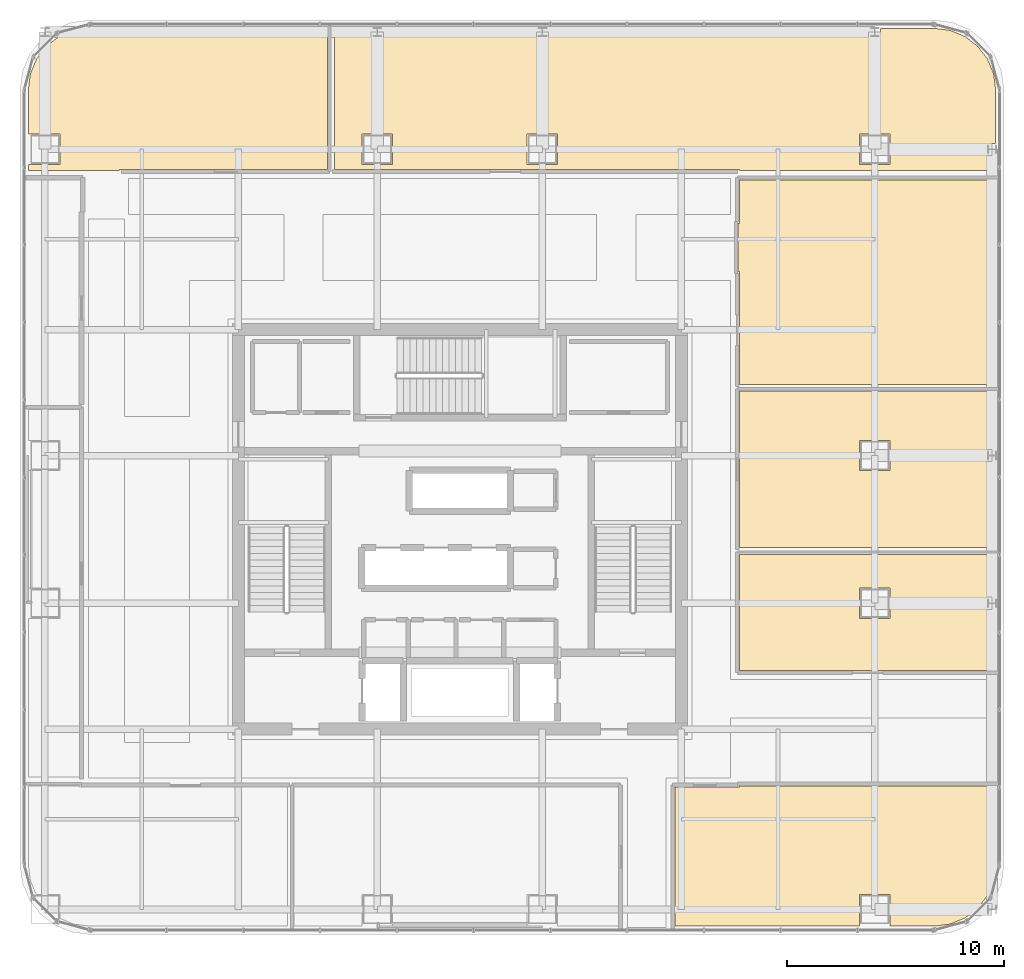
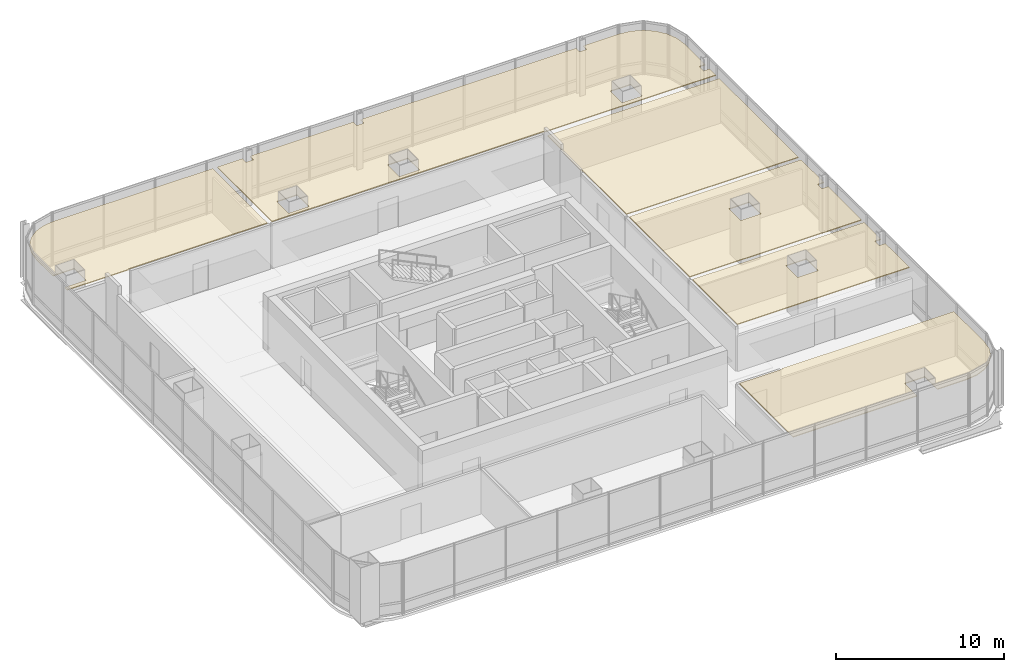
# One storey, part 42 of 42: 6 coverings.
"""IFC4 building model written with IfcOpenShell, lengths in metres."""

import ifcopenshell
import ifcopenshell.guid

model = None  # the IFC model being written
_history = None  # IfcOwnerHistory: only IFC2X3 demands one
_inside = {}  # id of a spatial element -> (the spatial element, [elements in it])
_under = {}  # id of a project, library or spatial element -> (it, [spatial elements below it])
_declared = {}  # id of a project -> (the project, [libraries it declares])
_typed = {}  # id of a type object -> (the type object, [elements of that type])
_made_of = {}  # id of a material, layer set ... -> (it, [elements and type objects made of it])


def new_model(schema):
    """Start an empty IFC model of exactly this schema.

    Asked for "IFC4X3", IfcOpenShell would pick the latest addendum, in which some entities
    have other attributes; the version numbers below select the first issue.
    IFC2X3 requires an IfcOwnerHistory on every rooted entity: one is made here for all.
    """
    global model, _history
    if schema == "IFC4X3":
        model = ifcopenshell.file(schema_version=(4, 3, 0, 0))
    else:
        model = ifcopenshell.file(schema=schema)
    _inside.clear()
    _under.clear()
    _declared.clear()
    _typed.clear()
    _made_of.clear()
    _history = None
    if model.schema == "IFC2X3":
        org = make("IfcOrganization", Name="unknown")
        user = make(
            "IfcPersonAndOrganization",
            ThePerson=make("IfcPerson", FamilyName="unknown"),
            TheOrganization=org,
        )
        app = make(
            "IfcApplication",
            ApplicationDeveloper=org,
            Version="unknown",
            ApplicationFullName="unknown",
            ApplicationIdentifier="unknown",
        )
        _history = make(
            "IfcOwnerHistory",
            OwningUser=user,
            OwningApplication=app,
            ChangeAction="ADDED",
            CreationDate=0,
        )
    return model


def make(cls, **values):
    """One entity of the class cls with the attributes given. An attribute that is None is left unset."""
    return model.create_entity(
        cls, **{name: value for name, value in values.items() if value is not None}
    )


def rooted(cls, **values):
    """An entity with a GlobalId (a new one), such as an element, a storey or a relation."""
    return make(cls, GlobalId=ifcopenshell.guid.new(), OwnerHistory=_history, **values)


def si_unit(unit_type, name, prefix=None):
    """IfcSIUnit, for example si_unit("LENGTHUNIT", "METRE", prefix="MILLI")."""
    return make("IfcSIUnit", UnitType=unit_type, Prefix=prefix, Name=name)


def assignment(units):
    """IfcUnitAssignment: the units of a project."""
    return None if units is None else make("IfcUnitAssignment", Units=units)


def point(xyz):
    """IfcCartesianPoint."""
    return None if xyz is None else make("IfcCartesianPoint", Coordinates=xyz)


def direction(xyz):
    """IfcDirection."""
    return None if xyz is None else make("IfcDirection", DirectionRatios=xyz)


def frame(location, z_axis=None, x_axis=None):
    """IfcAxis2Placement3D, a coordinate frame: its origin and axes. An axis left out is left unset."""
    return make(
        "IfcAxis2Placement3D",
        Location=point(location),
        Axis=direction(z_axis),
        RefDirection=direction(x_axis),
    )


def origin():
    """The frame at (0, 0, 0) with its axes left unset."""
    return frame((0.0, 0.0, 0.0))


def place(relative_to, where):
    """IfcLocalPlacement: puts the frame where relative to a parent placement (None: the world)."""
    return make(
        "IfcLocalPlacement", PlacementRelTo=relative_to, RelativePlacement=where
    )


def context(
    kind, dimensions, precision=None, world=None, true_north=None, identifier=None
):
    """IfcGeometricRepresentationContext, for example the 3D "Model" context."""
    return make(
        "IfcGeometricRepresentationContext",
        ContextIdentifier=identifier,
        ContextType=kind,
        CoordinateSpaceDimension=dimensions,
        Precision=precision,
        WorldCoordinateSystem=world,
        TrueNorth=true_north,
    )


def subcontext(parent, identifier, kind, view, scale=None):
    """IfcGeometricRepresentationSubContext, for example "Body" below "Model"."""
    return make(
        "IfcGeometricRepresentationSubContext",
        ContextIdentifier=identifier,
        ContextType=kind,
        ParentContext=parent,
        TargetScale=scale,
        TargetView=view,
    )


def project(units=None, contexts=None):
    """IfcProject with its units and contexts."""
    return rooted(
        "IfcProject",
        Name="project",
        RepresentationContexts=contexts,
        UnitsInContext=assignment(units),
    )


def spatial(cls, under=None, at=None, **own):
    """A site, building, storey or space (cls), placed at a placement, below another one or the project."""
    s = rooted(cls, ObjectPlacement=at, **own)
    if under is not None:
        _under.setdefault(under.id(), (under, []))[1].append(s)
    return s


def polyline(points):
    """IfcPolyline through the points."""
    return make("IfcPolyline", Points=[point(p) for p in points])


def outline(outer, holes=None, kind="AREA"):
    """IfcArbitraryClosedProfileDef: a profile drawn as a closed curve; with holes, ...WithVoids."""
    if holes is None:
        return make("IfcArbitraryClosedProfileDef", ProfileType=kind, OuterCurve=outer)
    return make(
        "IfcArbitraryProfileDefWithVoids",
        ProfileType=kind,
        OuterCurve=outer,
        InnerCurves=holes,
    )


def extrude(swept, where, along, depth):
    """IfcExtrudedAreaSolid: the profile swept, set in the frame where, extruded along a direction by depth."""
    return make(
        "IfcExtrudedAreaSolid",
        SweptArea=swept,
        Position=where,
        ExtrudedDirection=direction(along),
        Depth=depth,
    )


def shape(context_of_items, identifier, shape_type, items):
    """IfcShapeRepresentation: the items that make up one representation, for example the "Body"."""
    return make(
        "IfcShapeRepresentation",
        ContextOfItems=context_of_items,
        RepresentationIdentifier=identifier,
        RepresentationType=shape_type,
        Items=items,
    )


def material(Name=None, Category=None):
    """IfcMaterial."""
    return make("IfcMaterial", Name=Name, Category=Category)


def layer(
    of_material, thickness, ventilated=None, Name=None, Category=None, Priority=None
):
    """IfcMaterialLayer: one layer of a wall or slab, of a material (None: an air gap)."""
    return make(
        "IfcMaterialLayer",
        Material=of_material,
        LayerThickness=thickness,
        IsVentilated=ventilated,
        Name=Name,
        Category=Category,
        Priority=Priority,
    )


def layer_set(layers, Name=None):
    """IfcMaterialLayerSet."""
    return make("IfcMaterialLayerSet", MaterialLayers=layers, LayerSetName=Name)


def made_of(thing, what):
    """Note that an element or type object is made of a material, layer set ...; save() writes the relation."""
    if what is not None:
        _made_of.setdefault(what.id(), (what, []))[1].append(thing)
    return thing


def type_object(cls, material=None, **own):
    """A type object (cls), such as IfcWallType, which elements share."""
    return made_of(rooted(cls, **own), material)


def element(
    cls,
    number,
    at=None,
    inside=None,
    cuts=None,
    type_object=None,
    material=None,
    context=None,
    identifier="Body",
    shape_type=None,
    held_by="IfcProductDefinitionShape",
    body=None,
    shapes=None,
    **own,
):
    """One element of the class cls, such as IfcWall. Its Tag is "e" and its number.

    at: its placement. inside: the storey or other place that contains it. cuts: it is an
    opening in that element (IfcRelVoidsElement). A single representation is given by context,
    identifier, shape_type and body (its items); several are given by shapes. held_by: the class
    of the entity that holds the representations. save() writes the other relations.
    """
    e = rooted(cls, Tag="e%d" % number, ObjectPlacement=at, **own)
    if body is not None:
        shapes = [shape(context, identifier, shape_type, body)]
    if shapes is not None:
        e.Representation = make(held_by, Representations=shapes)
    if inside is not None:
        _inside.setdefault(inside.id(), (inside, []))[1].append(e)
    if cuts is not None:
        rooted(
            "IfcRelVoidsElement", RelatingBuildingElement=cuts, RelatedOpeningElement=e
        )
    if type_object is not None:
        _typed.setdefault(type_object.id(), (type_object, []))[1].append(e)
    return made_of(e, material)


def aggregate(whole, parts):
    """IfcRelAggregates: a whole, such as a stair, and the parts it consists of."""
    return rooted("IfcRelAggregates", RelatingObject=whole, RelatedObjects=parts)


def save(model, path):
    """Write the relations noted so far, then the file.

    IfcRelAggregates (storeys below a building ...), IfcRelContainedInSpatialStructure (elements
    in a storey), IfcRelDefinesByType, IfcRelAssociatesMaterial and IfcRelDeclares: one each for
    every whole, place, type object, material and project.
    """
    for whole, parts in _under.values():
        aggregate(whole, parts)
    for where, things in _inside.values():
        rooted(
            "IfcRelContainedInSpatialStructure",
            RelatedElements=things,
            RelatingStructure=where,
        )
    for kind, things in _typed.values():
        rooted("IfcRelDefinesByType", RelatedObjects=things, RelatingType=kind)
    for what, things in _made_of.values():
        rooted("IfcRelAssociatesMaterial", RelatedObjects=things, RelatingMaterial=what)
    for by, libraries in _declared.values():
        rooted("IfcRelDeclares", RelatingContext=by, RelatedDefinitions=libraries)
    model.write(path)


model = new_model("IFC4")

# Units and contexts
model_context = context("Model", 3, precision=1e-05, world=origin(), true_north=direction((0.0, 1.0)))
body_context = subcontext(model_context, "Body", "Model", "MODEL_VIEW")
ifc_project = project(units=[si_unit("LENGTHUNIT", "METRE"), si_unit("AREAUNIT", "SQUARE_METRE"), si_unit("VOLUMEUNIT", "CUBIC_METRE"), si_unit("PLANEANGLEUNIT", "RADIAN"), si_unit("MASSUNIT", "GRAM", prefix="KILO")], contexts=[model_context])

# Site, building, storey
site_placement = place(None, origin())
site = spatial("IfcSite", under=ifc_project, at=site_placement, CompositionType="ELEMENT")
building_placement = place(site_placement, origin())
building = spatial("IfcBuilding", under=site, at=building_placement, Name="Punatoya Terracotta Tower", CompositionType="ELEMENT")
storey_placement = place(building_placement, frame((0.0, 0.0, 255.449951171875)))
storey = spatial("IfcBuildingStorey", under=building, at=storey_placement, Name="L60", CompositionType="ELEMENT", Elevation=255.449951171875)

# Coverings
ifc_material = material(Name="Acoustic Mineral Fibre Ceiling")
ifc_layer = layer(ifc_material, 0.06005859375)
ifc_layer_set = layer_set([ifc_layer], Name="Acoustic Mineral Fibre Ceiling")
covering_type = type_object("IfcCoveringType", Name="COV-CEIL-60", PredefinedType="CEILING", material=ifc_layer_set)
covering_1_placement = place(storey_placement, frame((0.0, 0.0, 3.239990234375)))
element("IfcCovering", 1, at=covering_1_placement, inside=storey, type_object=covering_type, Name="L60 Open-Plan Graphic Design Workplace Acoustic Ceiling", PredefinedType="CEILING", context=body_context, shape_type="SweptSolid", body=[
    extrude(outline(polyline([(12.8701171875, -11.8701171875), (9.89990234375, -11.8701171875), (9.89990234375, -18.27001953125), (18.39990234375, -18.27001953125), (18.39990234375, -16.800048828125), (19.800048828125, -16.800048828125), (19.800048828125, -18.27001953125), (21.8251953125, -18.27001953125), (22.5791015625, -18.1708984375), (23.25830078125, -17.889404296875), (23.841796875, -17.441650390625), (24.289306640625, -16.8583984375), (24.57080078125, -16.178955078125), (24.669921875, -15.425048828125), (24.669921875, -11.81005859375), (12.8701171875, -11.81005859375), (12.8701171875, -11.8701171875)])), origin(), (0.0, 0.0, 1.0), 0.06005859375),
])
covering_2_placement = place(storey_placement, frame((0.0, 0.0, 3.239990234375)))
element("IfcCovering", 2, at=covering_2_placement, inside=storey, type_object=covering_type, Name="L60 Open-Plan Press Briefing Room Acoustic Ceiling", PredefinedType="CEILING", context=body_context, shape_type="SweptSolid", body=[
    extrude(outline(polyline([(24.669921875, -3.14208984375), (24.669921875, -1.14599609375), (12.8701171875, -1.14599609375), (12.8701171875, -6.5), (24.669921875, -6.5), (24.669921875, -3.657958984375), (24.2470703125, -3.657958984375), (24.2470703125, -3.14208984375), (24.669921875, -3.14208984375)]), holes=[polyline([(18.39990234375, -4.10009765625), (18.39990234375, -2.699951171875), (19.800048828125, -2.699951171875), (19.800048828125, -4.10009765625), (18.39990234375, -4.10009765625)])]), origin(), (0.0, 0.0, 1.0), 0.06005859375),
])
covering_3_placement = place(storey_placement, frame((0.0, 0.0, 3.239990234375)))
element("IfcCovering", 3, at=covering_3_placement, inside=storey, type_object=covering_type, Name="L60 Open-Plan Acoustic Wellness Room Acoustic Ceiling", PredefinedType="CEILING", context=body_context, shape_type="SweptSolid", body=[
    extrude(outline(polyline([(24.669921875, 3.657958984375), (24.669921875, 6.360107421875), (12.8701171875, 6.360107421875), (12.8701171875, -0.825927734375), (24.669921875, -0.825927734375), (24.669921875, 3.14208984375), (24.2470703125, 3.14208984375), (24.2470703125, 3.657958984375), (24.669921875, 3.657958984375)]), holes=[polyline([(18.39990234375, 4.10009765625), (19.800048828125, 4.10009765625), (19.800048828125, 2.699951171875), (18.39990234375, 2.699951171875), (18.39990234375, 4.10009765625)])]), origin(), (0.0, 0.0, 1.0), 0.06005859375),
])
covering_4_placement = place(storey_placement, frame((0.0, 0.0, 3.239990234375)))
element("IfcCovering", 4, at=covering_4_placement, inside=storey, type_object=covering_type, Name="L60 Editorial Conference Room Acoustic Ceiling", PredefinedType="CEILING", context=body_context, shape_type="SweptSolid", body=[
    extrude(outline(polyline([(12.81005859375, 11.8701171875), (12.8701171875, 11.8701171875), (12.8701171875, 6.679931640625), (24.669921875, 6.679931640625), (24.669921875, 16.090087890625), (12.8701171875, 16.090087890625), (12.8701171875, 14.080078125), (12.81005859375, 14.080078125), (12.81005859375, 11.8701171875)])), origin(), (0.0, 0.0, 1.0), 0.06005859375),
])
covering_5_placement = place(storey_placement, frame((0.0, 0.0, 3.239990234375)))
element("IfcCovering", 5, at=covering_5_placement, inside=storey, type_object=covering_type, Name="L60 Open-Plan Client Briefing Office Acoustic Ceiling", PredefinedType="CEILING", context=body_context, shape_type="SweptSolid", body=[
    extrude(outline(polyline([(-19.8701171875, 16.800048828125), (-19.8701171875, 16.510009765625), (-15.669921875, 16.510009765625), (-15.669921875, 16.570068359375), (-6.093994140625, 16.570068359375), (-6.093994140625, 23.070068359375), (-17.025146484375, 23.070068359375), (-17.779052734375, 22.970703125), (-18.458251953125, 22.689453125), (-19.041748046875, 22.24169921875), (-19.489501953125, 21.658203125), (-19.770751953125, 20.97900390625), (-19.8701171875, 20.22509765625), (-19.8701171875, 18.199951171875), (-18.39990234375, 18.199951171875), (-18.39990234375, 16.800048828125), (-19.8701171875, 16.800048828125)])), origin(), (0.0, 0.0, 1.0), 0.06005859375),
])
covering_6_placement = place(storey_placement, frame((0.0, 0.0, 3.239990234375)))
element("IfcCovering", 6, at=covering_6_placement, inside=storey, type_object=covering_type, Name="L60 Visualization Review Room Acoustic Ceiling", PredefinedType="CEILING", context=body_context, shape_type="SweptSolid", body=[
    extrude(outline(polyline([(4.052978515625, 22.64208984375), (3.547119140625, 22.64208984375), (3.547119140625, 23.070068359375), (-3.547119140625, 23.070068359375), (-3.547119140625, 22.64208984375), (-4.052978515625, 22.64208984375), (-4.052978515625, 23.070068359375), (-5.77392578125, 23.070068359375), (-5.77392578125, 16.570068359375), (12.8701171875, 16.570068359375), (12.8701171875, 16.510009765625), (24.669921875, 16.510009765625), (24.669921875, 17.241943359375), (24.2470703125, 17.241943359375), (24.2470703125, 17.758056640625), (24.669921875, 17.758056640625), (24.669921875, 20.22509765625), (24.57080078125, 20.97900390625), (24.289306640625, 21.658203125), (23.841796875, 22.24169921875), (23.25830078125, 22.689453125), (22.5791015625, 22.970703125), (21.8251953125, 23.070068359375), (19.35302734375, 23.070068359375), (19.35302734375, 22.64208984375), (18.846923828125, 22.64208984375), (18.846923828125, 23.070068359375), (4.052978515625, 23.070068359375), (4.052978515625, 22.64208984375)]), holes=[polyline([(19.800048828125, 18.199951171875), (19.800048828125, 16.800048828125), (18.39990234375, 16.800048828125), (18.39990234375, 18.199951171875), (19.800048828125, 18.199951171875)]), polyline([(4.5, 16.800048828125), (3.10009765625, 16.800048828125), (3.10009765625, 18.199951171875), (4.5, 18.199951171875), (4.5, 16.800048828125)]), polyline([(-4.5, 16.800048828125), (-4.5, 18.199951171875), (-3.10009765625, 18.199951171875), (-3.10009765625, 16.800048828125), (-4.5, 16.800048828125)])]), origin(), (0.0, 0.0, 1.0), 0.06005859375),
])

save(model, "model.ifc")
